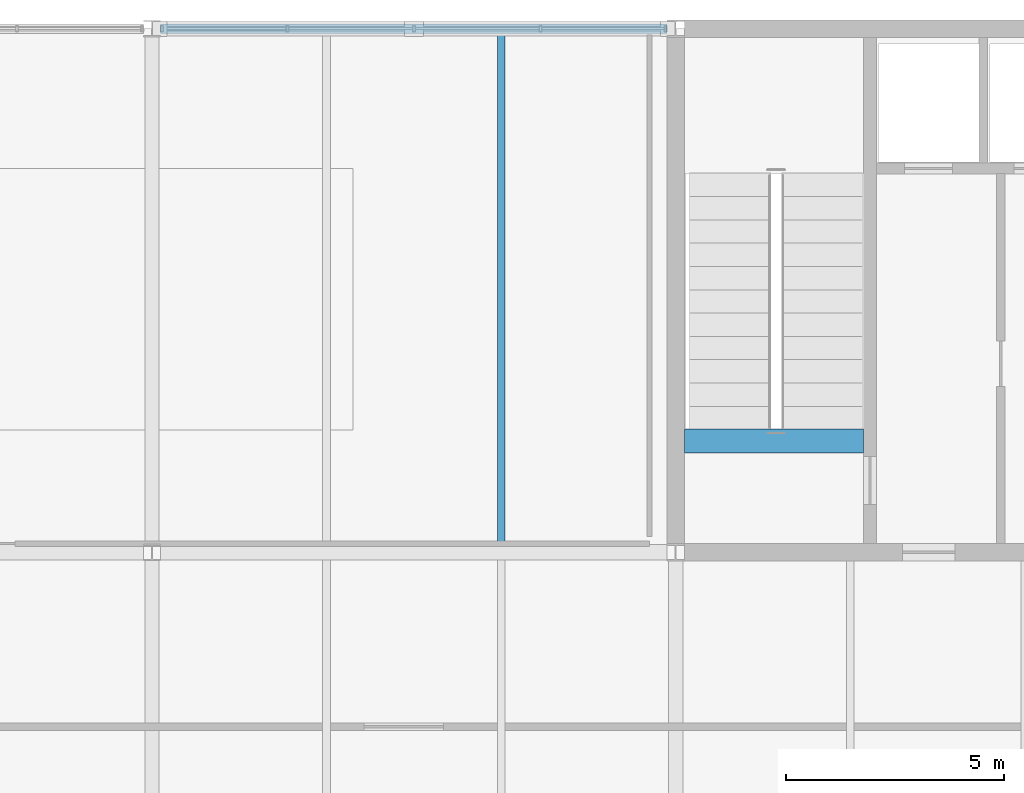
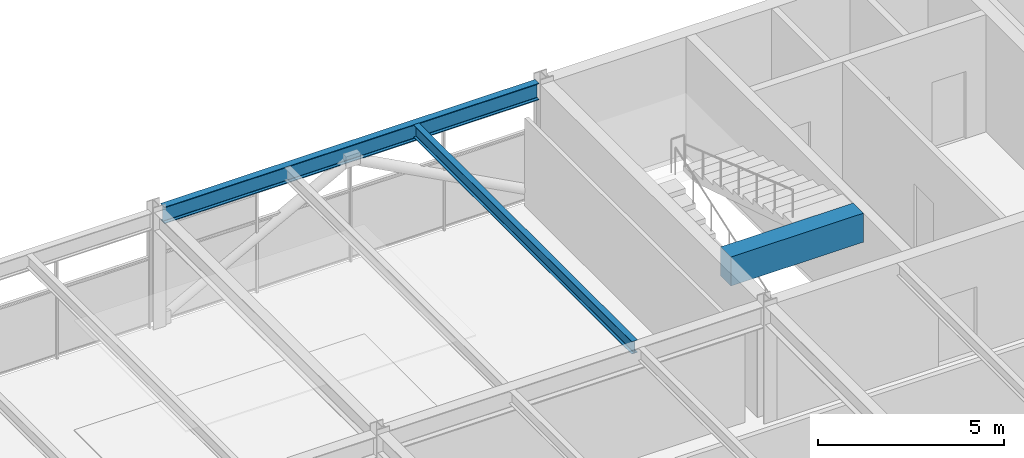
# One storey, part 20 of 52: 3 beams.
"""IFC4 building model written with IfcOpenShell, lengths in metres."""

from ifc_helpers import new_model, si_unit, direction, frame, origin, origin_2d, place, context, subcontext, project, spatial, rectangle, i_section, extrude, material, material_profile, profile_set, type_object, element, save


model = new_model("IFC4")

# Units and contexts
model_context = context("Model", 3, precision=1e-05, world=origin(), true_north=direction((0.0, 1.0)))
body_context = subcontext(model_context, "Body", "Model", "MODEL_VIEW")
ifc_project = project(units=[si_unit("LENGTHUNIT", "METRE"), si_unit("AREAUNIT", "SQUARE_METRE"), si_unit("VOLUMEUNIT", "CUBIC_METRE"), si_unit("PLANEANGLEUNIT", "RADIAN"), si_unit("MASSUNIT", "GRAM", prefix="KILO")], contexts=[model_context])

# Site, building, storey
site_placement = place(None, origin())
site = spatial("IfcSite", under=ifc_project, at=site_placement, CompositionType="ELEMENT")
building_placement = place(site_placement, origin())
building = spatial("IfcBuilding", under=site, at=building_placement, Name="Girod Span Mobility Hub", CompositionType="ELEMENT")
storey_placement = place(building_placement, frame((0.0, 0.0, 45.60009765625)))
storey = spatial("IfcBuildingStorey", under=building, at=storey_placement, Name="L11", CompositionType="ELEMENT", Elevation=45.60009765625)

# Beams
ifc_material_1 = material(Name="Concrete C40/50", Category="concrete")
ifc_material_profile_1 = material_profile(ifc_material_1, rectangle(XDim=0.550048828125, YDim=0.949951171875, at=origin_2d()), Name="RK-550X950")
ifc_profile_set_1 = profile_set([ifc_material_profile_1], Name="Concrete C40/50")
beam_type_1 = type_object("IfcBeamType", Name="BM-RK-550X950", PredefinedType="BEAM", material=ifc_profile_set_1)
beam_1_placement = place(storey_placement, frame((48.197021484375, 59.550048828125, 3.364990234375), z_axis=(1.0, 0.0, 0.0), x_axis=(0.0, 1.0, 0.0)))
element("IfcBeam", 1, at=beam_1_placement, inside=storey, type_object=beam_type_1, Name="Stair ST-1 Landing Header Beam L11", PredefinedType="BEAM", context=body_context, shape_type="SweptSolid", body=[
    extrude(rectangle(XDim=0.550048828125, YDim=0.949951171875, at=origin_2d()), origin(), (0.0, 0.0, 1.0), 4.10595703125),
])
ifc_material_2 = material(Name="Steel A992 Grade 50", Category="steel")
ifc_material_profile_2 = material_profile(ifc_material_2, i_section(OverallWidth=0.178955078125, OverallDepth=0.409912109375, WebThickness=0.0087890625, FlangeThickness=0.014404296875, FilletRadius=0.012939453125, at=origin_2d()), Name="W16X45")
ifc_profile_set_2 = profile_set([ifc_material_profile_2], Name="Steel A992 Grade 50")
beam_type_2 = type_object("IfcBeamType", Name="BM-STL-W16X45", PredefinedType="BEAM", material=ifc_profile_set_2)
beam_2_placement = place(storey_placement, frame((44.0, 57.174560546875, 3.635009765625), z_axis=(0.0, 1.0, 0.0), x_axis=(-1.0, 0.0, 0.0)))
element("IfcBeam", 2, at=beam_2_placement, inside=storey, type_object=beam_type_2, Name="Composite Floorbeam 4/E-2 L11", PredefinedType="BEAM", context=body_context, shape_type="SweptSolid", body=[
    extrude(i_section(OverallWidth=0.178955078125, OverallDepth=0.409912109375, WebThickness=0.0087890625, FlangeThickness=0.014404296875, FilletRadius=0.012939453125, at=origin_2d()), origin(), (0.0, 0.0, 1.0), 11.722412109375),
])
ifc_material_3 = material(Name="Steel A992 Grade 50", Category="steel")
ifc_material_profile_3 = material_profile(ifc_material_3, i_section(OverallWidth=0.2119140625, OverallDepth=0.5439453125, WebThickness=0.01318359375, FlangeThickness=0.021240234375, FilletRadius=0.014892578125, at=origin_2d()), Name="W21X83")
ifc_profile_set_3 = profile_set([ifc_material_profile_3], Name="Steel A992 Grade 50")
beam_type_3 = type_object("IfcBeamType", Name="BM-STL-W21X83", PredefinedType="SPANDREL", material=ifc_profile_set_3)
beam_3_placement = place(storey_placement, frame((36.194091796875, 69.0, 3.56787109375), z_axis=(1.0, 0.0, 0.0), x_axis=(0.0, 1.0, 0.0)))
element("IfcBeam", 3, at=beam_3_placement, inside=storey, type_object=beam_type_3, Name="Girder 4-5/F L11", PredefinedType="SPANDREL", context=body_context, shape_type="SweptSolid", body=[
    extrude(i_section(OverallWidth=0.2119140625, OverallDepth=0.5439453125, WebThickness=0.01318359375, FlangeThickness=0.021240234375, FilletRadius=0.014892578125, at=origin_2d()), origin(), (0.0, 0.0, 1.0), 11.609375),
])

save(model, "model.ifc")
